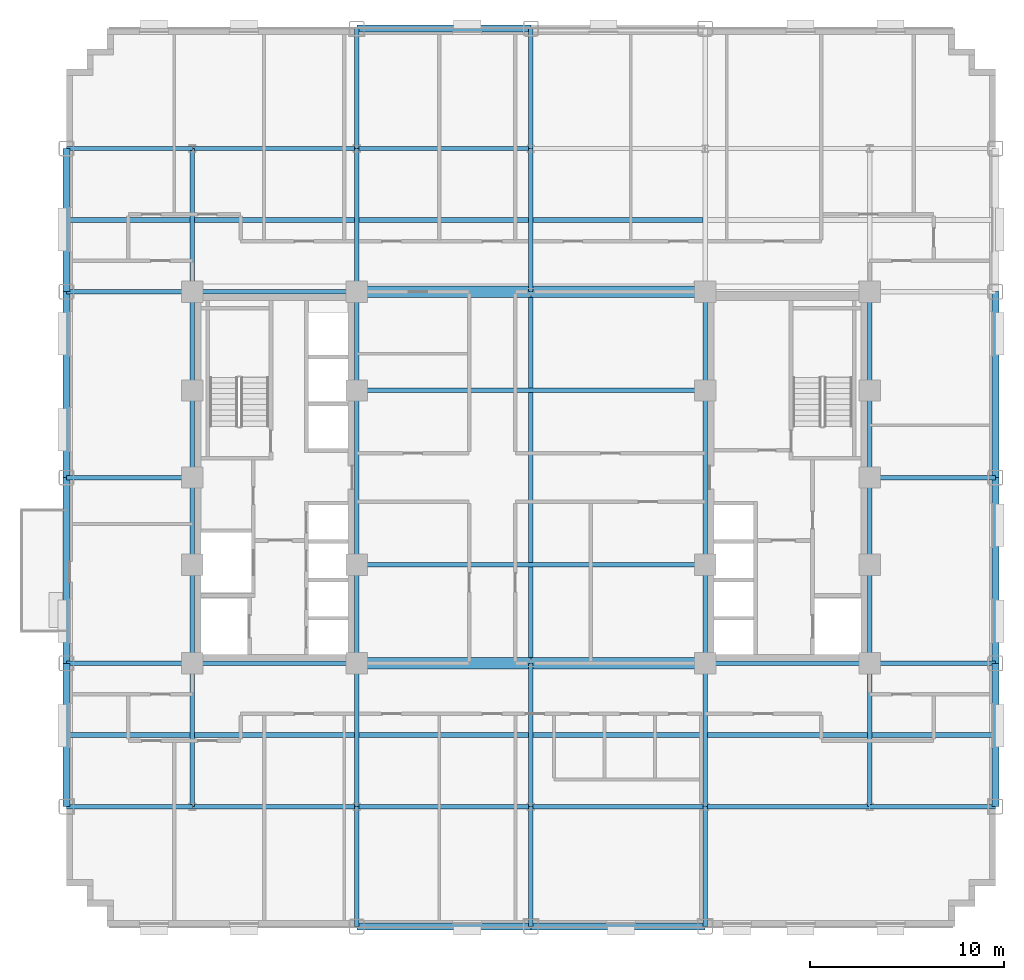
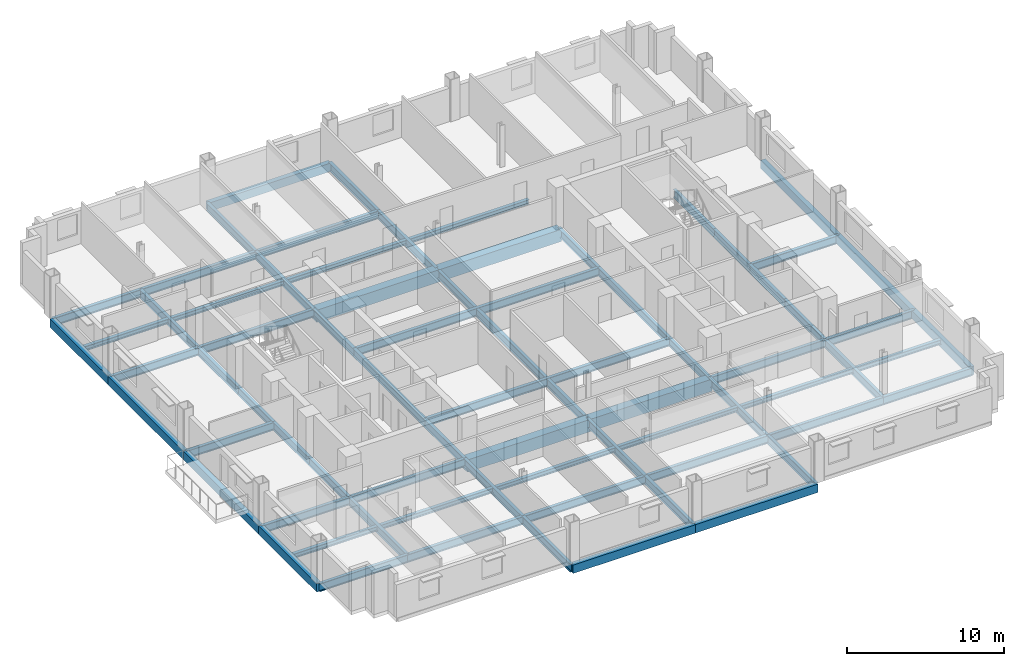
# One storey, part 4 of 14: 71 beams.
"""IFC4 building model written with IfcOpenShell, lengths in metres."""

from ifc_helpers import new_model, si_unit, direction, frame, origin, origin_2d, place, context, subcontext, project, spatial, rectangle, i_section, extrude, material, material_profile, profile_set, type_object, element, save


model = new_model("IFC4")

# Units and contexts
model_context = context("Model", 3, precision=1e-05, world=origin(), true_north=direction((0.0, 1.0)))
body_context = subcontext(model_context, "Body", "Model", "MODEL_VIEW")
ifc_project = project(units=[si_unit("LENGTHUNIT", "METRE"), si_unit("AREAUNIT", "SQUARE_METRE"), si_unit("VOLUMEUNIT", "CUBIC_METRE"), si_unit("PLANEANGLEUNIT", "RADIAN"), si_unit("MASSUNIT", "GRAM", prefix="KILO")], contexts=[model_context])

# Site, building, storey
site_placement = place(None, origin())
site = spatial("IfcSite", under=ifc_project, at=site_placement, CompositionType="ELEMENT")
building_placement = place(site_placement, origin())
building = spatial("IfcBuilding", under=site, at=building_placement, Name="Nuvemarco Arch Tower", CompositionType="ELEMENT")
storey_placement = place(building_placement, frame((0.0, 0.0, 89.64990234375)))
storey = spatial("IfcBuildingStorey", under=building, at=storey_placement, Name="L23", CompositionType="ELEMENT", Elevation=89.64990234375)

# Beams
ifc_material_1 = material(Name="Concrete C60/75", Category="concrete")
ifc_material_profile_1 = material_profile(ifc_material_1, rectangle(XDim=0.60009765625, YDim=0.949951171875, at=origin_2d()), Name="RC-BM-600x950")
ifc_profile_set_1 = profile_set([ifc_material_profile_1], Name="Concrete C60/75")
beam_type_1 = type_object("IfcBeamType", Name="BM-COUP-RC", PredefinedType="LINTEL", material=ifc_profile_set_1)
for number, where, z_axis, x_axis, name in (
    (1, (-9.0, -9.60009765625, -0.7548828125), (1.0, 0.0, 0.0), (0.0, 1.0, 0.0), "L23 structural beam BGEW_L23_0_-9.6_-9.0"),
    (2, (0.0, -9.60009765625, -0.7548828125), (1.0, 0.0, 0.0), (0.0, 1.0, 0.0), "L23 structural beam BGEW_L23_0_-9.6_+0.0"),
    (3, (-9.0, 9.60009765625, -0.7548828125), (1.0, 0.0, 0.0), (0.0, 1.0, 0.0), "L23 structural beam BGEW_L23_0_+9.6_-9.0"),
    (4, (0.0, 9.60009765625, -0.7548828125), (1.0, 0.0, 0.0), (0.0, 1.0, 0.0), "L23 structural beam BGEW_L23_0_+9.6_+0.0"),
):
    element("IfcBeam", number, at=place(storey_placement, frame(where, z_axis=z_axis, x_axis=x_axis)), inside=storey, type_object=beam_type_1, Name=name, PredefinedType="LINTEL", context=body_context, shape_type="SweptSolid", body=[
        extrude(rectangle(XDim=0.60009765625, YDim=0.949951171875, at=origin_2d()), origin(), (0.0, 0.0, 1.0), 9.0),
    ])
ifc_material_2 = material(Name="Steel S355", Category="steel")
ifc_material_profile_2 = material_profile(ifc_material_2, i_section(OverallWidth=0.22998046875, OverallDepth=0.616943359375, WebThickness=0.01318359375, FlangeThickness=0.022216796875, FilletRadius=0.01611328125, at=origin_2d()), Name="W610x140")
ifc_profile_set_2 = profile_set([ifc_material_profile_2], Name="Steel S355")
beam_type_2 = type_object("IfcBeamType", Name="BM-GIRD-610", PredefinedType="BEAM", material=ifc_profile_set_2)
beam_1_placement = place(storey_placement, frame((-17.5, -17.0, -0.58837890625), z_axis=(0.0, 1.0, 0.0), x_axis=(-1.0, 0.0, 0.0)))
element("IfcBeam", 5, at=beam_1_placement, inside=storey, type_object=beam_type_2, Name="L23 structural beam BGNS_L23_0_-17.5_-17.0", PredefinedType="BEAM", context=body_context, shape_type="SweptSolid", body=[
    extrude(i_section(OverallWidth=0.22998046875, OverallDepth=0.616943359375, WebThickness=0.01318359375, FlangeThickness=0.022216796875, FilletRadius=0.01611328125, at=origin_2d()), origin(), (0.0, 0.0, 1.0), 7.39990234375),
])
beam_2_placement = place(storey_placement, frame((-17.5, -9.60009765625, -0.58837890625), z_axis=(0.0, 1.0, 0.0), x_axis=(-1.0, 0.0, 0.0)))
element("IfcBeam", 6, at=beam_2_placement, inside=storey, type_object=beam_type_2, Name="L23 structural beam BGNS_L23_0_-17.5_-9.6", PredefinedType="BEAM", context=body_context, shape_type="SweptSolid", body=[
    extrude(i_section(OverallWidth=0.22998046875, OverallDepth=0.616943359375, WebThickness=0.01318359375, FlangeThickness=0.022216796875, FilletRadius=0.01611328125, at=origin_2d()), origin(), (0.0, 0.0, 1.0), 5.10009765625),
])
for number, where, z_axis, x_axis, name in (
    (7, (-17.5, -4.5, -0.58837890625), (0.0, 1.0, 0.0), (-1.0, 0.0, 0.0), "L23 structural beam BGNS_L23_0_-17.5_-4.5"),
    (8, (-17.5, 0.0, -0.58837890625), (0.0, 1.0, 0.0), (-1.0, 0.0, 0.0), "L23 structural beam BGNS_L23_0_-17.5_+0.0"),
):
    element("IfcBeam", number, at=place(storey_placement, frame(where, z_axis=z_axis, x_axis=x_axis)), inside=storey, type_object=beam_type_2, Name=name, PredefinedType="BEAM", context=body_context, shape_type="SweptSolid", body=[
        extrude(i_section(OverallWidth=0.22998046875, OverallDepth=0.616943359375, WebThickness=0.01318359375, FlangeThickness=0.022216796875, FilletRadius=0.01611328125, at=origin_2d()), origin(), (0.0, 0.0, 1.0), 4.5),
    ])
beam_3_placement = place(storey_placement, frame((-17.5, 4.5, -0.58837890625), z_axis=(0.0, 1.0, 0.0), x_axis=(-1.0, 0.0, 0.0)))
element("IfcBeam", 9, at=beam_3_placement, inside=storey, type_object=beam_type_2, Name="L23 structural beam BGNS_L23_0_-17.5_+4.5", PredefinedType="BEAM", context=body_context, shape_type="SweptSolid", body=[
    extrude(i_section(OverallWidth=0.22998046875, OverallDepth=0.616943359375, WebThickness=0.01318359375, FlangeThickness=0.022216796875, FilletRadius=0.01611328125, at=origin_2d()), origin(), (0.0, 0.0, 1.0), 5.10009765625),
])
beam_4_placement = place(storey_placement, frame((-17.5, 9.60009765625, -0.58837890625), z_axis=(0.0, 1.0, 0.0), x_axis=(-1.0, 0.0, 0.0)))
element("IfcBeam", 10, at=beam_4_placement, inside=storey, type_object=beam_type_2, Name="L23 structural beam BGNS_L23_0_-17.5_+9.6", PredefinedType="BEAM", context=body_context, shape_type="SweptSolid", body=[
    extrude(i_section(OverallWidth=0.22998046875, OverallDepth=0.616943359375, WebThickness=0.01318359375, FlangeThickness=0.022216796875, FilletRadius=0.01611328125, at=origin_2d()), origin(), (0.0, 0.0, 1.0), 7.39990234375),
])
beam_5_placement = place(storey_placement, frame((-9.0, -23.199951171875, -0.58837890625), z_axis=(0.0, 1.0, 0.0), x_axis=(-1.0, 0.0, 0.0)))
element("IfcBeam", 11, at=beam_5_placement, inside=storey, type_object=beam_type_2, Name="L23 structural beam BGNS_L23_0_-9.0_-23.2", PredefinedType="BEAM", context=body_context, shape_type="SweptSolid", body=[
    extrude(i_section(OverallWidth=0.22998046875, OverallDepth=0.616943359375, WebThickness=0.01318359375, FlangeThickness=0.022216796875, FilletRadius=0.01611328125, at=origin_2d()), origin(), (0.0, 0.0, 1.0), 6.199951171875),
])
beam_6_placement = place(storey_placement, frame((-9.0, -17.0, -0.58837890625), z_axis=(0.0, 1.0, 0.0), x_axis=(-1.0, 0.0, 0.0)))
element("IfcBeam", 12, at=beam_6_placement, inside=storey, type_object=beam_type_2, Name="L23 structural beam BGNS_L23_0_-9.0_-17.0", PredefinedType="BEAM", context=body_context, shape_type="SweptSolid", body=[
    extrude(i_section(OverallWidth=0.22998046875, OverallDepth=0.616943359375, WebThickness=0.01318359375, FlangeThickness=0.022216796875, FilletRadius=0.01611328125, at=origin_2d()), origin(), (0.0, 0.0, 1.0), 7.39990234375),
])
beam_7_placement = place(storey_placement, frame((-9.0, -9.60009765625, -0.58837890625), z_axis=(0.0, 1.0, 0.0), x_axis=(-1.0, 0.0, 0.0)))
element("IfcBeam", 13, at=beam_7_placement, inside=storey, type_object=beam_type_2, Name="L23 structural beam BGNS_L23_0_-9.0_-9.6", PredefinedType="BEAM", context=body_context, shape_type="SweptSolid", body=[
    extrude(i_section(OverallWidth=0.22998046875, OverallDepth=0.616943359375, WebThickness=0.01318359375, FlangeThickness=0.022216796875, FilletRadius=0.01611328125, at=origin_2d()), origin(), (0.0, 0.0, 1.0), 5.10009765625),
])
beam_8_placement = place(storey_placement, frame((-9.0, -4.5, -0.58837890625), z_axis=(0.0, 1.0, 0.0), x_axis=(-1.0, 0.0, 0.0)))
element("IfcBeam", 14, at=beam_8_placement, inside=storey, type_object=beam_type_2, Name="L23 structural beam BGNS_L23_0_-9.0_-4.5", PredefinedType="BEAM", context=body_context, shape_type="SweptSolid", body=[
    extrude(i_section(OverallWidth=0.22998046875, OverallDepth=0.616943359375, WebThickness=0.01318359375, FlangeThickness=0.022216796875, FilletRadius=0.01611328125, at=origin_2d()), origin(), (0.0, 0.0, 1.0), 9.0),
])
beam_9_placement = place(storey_placement, frame((-9.0, 4.5, -0.58837890625), z_axis=(0.0, 1.0, 0.0), x_axis=(-1.0, 0.0, 0.0)))
element("IfcBeam", 15, at=beam_9_placement, inside=storey, type_object=beam_type_2, Name="L23 structural beam BGNS_L23_0_-9.0_+4.5", PredefinedType="BEAM", context=body_context, shape_type="SweptSolid", body=[
    extrude(i_section(OverallWidth=0.22998046875, OverallDepth=0.616943359375, WebThickness=0.01318359375, FlangeThickness=0.022216796875, FilletRadius=0.01611328125, at=origin_2d()), origin(), (0.0, 0.0, 1.0), 5.10009765625),
])
beam_10_placement = place(storey_placement, frame((-9.0, 9.60009765625, -0.58837890625), z_axis=(0.0, 1.0, 0.0), x_axis=(-1.0, 0.0, 0.0)))
element("IfcBeam", 16, at=beam_10_placement, inside=storey, type_object=beam_type_2, Name="L23 structural beam BGNS_L23_0_-9.0_+9.6", PredefinedType="BEAM", context=body_context, shape_type="SweptSolid", body=[
    extrude(i_section(OverallWidth=0.22998046875, OverallDepth=0.616943359375, WebThickness=0.01318359375, FlangeThickness=0.022216796875, FilletRadius=0.01611328125, at=origin_2d()), origin(), (0.0, 0.0, 1.0), 7.39990234375),
])
for number, where, z_axis, x_axis, name in (
    (17, (-9.0, 17.0, -0.58837890625), (0.0, 1.0, 0.0), (-1.0, 0.0, 0.0), "L23 structural beam BGNS_L23_0_-9.0_+17.0"),
    (18, (0.0, -23.199951171875, -0.58837890625), (0.0, 1.0, 0.0), (-1.0, 0.0, 0.0), "L23 structural beam BGNS_L23_0_+0.0_-23.2"),
):
    element("IfcBeam", number, at=place(storey_placement, frame(where, z_axis=z_axis, x_axis=x_axis)), inside=storey, type_object=beam_type_2, Name=name, PredefinedType="BEAM", context=body_context, shape_type="SweptSolid", body=[
        extrude(i_section(OverallWidth=0.22998046875, OverallDepth=0.616943359375, WebThickness=0.01318359375, FlangeThickness=0.022216796875, FilletRadius=0.01611328125, at=origin_2d()), origin(), (0.0, 0.0, 1.0), 6.199951171875),
    ])
beam_11_placement = place(storey_placement, frame((0.0, -17.0, -0.58837890625), z_axis=(0.0, 1.0, 0.0), x_axis=(-1.0, 0.0, 0.0)))
element("IfcBeam", 19, at=beam_11_placement, inside=storey, type_object=beam_type_2, Name="L23 structural beam BGNS_L23_0_+0.0_-17.0", PredefinedType="BEAM", context=body_context, shape_type="SweptSolid", body=[
    extrude(i_section(OverallWidth=0.22998046875, OverallDepth=0.616943359375, WebThickness=0.01318359375, FlangeThickness=0.022216796875, FilletRadius=0.01611328125, at=origin_2d()), origin(), (0.0, 0.0, 1.0), 7.39990234375),
])
beam_12_placement = place(storey_placement, frame((0.0, -9.60009765625, -0.58837890625), z_axis=(0.0, 1.0, 0.0), x_axis=(-1.0, 0.0, 0.0)))
element("IfcBeam", 20, at=beam_12_placement, inside=storey, type_object=beam_type_2, Name="L23 structural beam BGNS_L23_0_+0.0_-9.6", PredefinedType="BEAM", context=body_context, shape_type="SweptSolid", body=[
    extrude(i_section(OverallWidth=0.22998046875, OverallDepth=0.616943359375, WebThickness=0.01318359375, FlangeThickness=0.022216796875, FilletRadius=0.01611328125, at=origin_2d()), origin(), (0.0, 0.0, 1.0), 19.2001953125),
])
beam_13_placement = place(storey_placement, frame((0.0, 9.60009765625, -0.58837890625), z_axis=(0.0, 1.0, 0.0), x_axis=(-1.0, 0.0, 0.0)))
element("IfcBeam", 21, at=beam_13_placement, inside=storey, type_object=beam_type_2, Name="L23 structural beam BGNS_L23_0_+0.0_+9.6", PredefinedType="BEAM", context=body_context, shape_type="SweptSolid", body=[
    extrude(i_section(OverallWidth=0.22998046875, OverallDepth=0.616943359375, WebThickness=0.01318359375, FlangeThickness=0.022216796875, FilletRadius=0.01611328125, at=origin_2d()), origin(), (0.0, 0.0, 1.0), 7.39990234375),
])
for number, where, z_axis, x_axis, name in (
    (22, (0.0, 17.0, -0.58837890625), (0.0, 1.0, 0.0), (-1.0, 0.0, 0.0), "L23 structural beam BGNS_L23_0_+0.0_+17.0"),
    (23, (9.0, -23.199951171875, -0.58837890625), (0.0, 1.0, 0.0), (-1.0, 0.0, 0.0), "L23 structural beam BGNS_L23_0_+9.0_-23.2"),
):
    element("IfcBeam", number, at=place(storey_placement, frame(where, z_axis=z_axis, x_axis=x_axis)), inside=storey, type_object=beam_type_2, Name=name, PredefinedType="BEAM", context=body_context, shape_type="SweptSolid", body=[
        extrude(i_section(OverallWidth=0.22998046875, OverallDepth=0.616943359375, WebThickness=0.01318359375, FlangeThickness=0.022216796875, FilletRadius=0.01611328125, at=origin_2d()), origin(), (0.0, 0.0, 1.0), 6.199951171875),
    ])
beam_14_placement = place(storey_placement, frame((9.0, -17.0, -0.58837890625), z_axis=(0.0, 1.0, 0.0), x_axis=(-1.0, 0.0, 0.0)))
element("IfcBeam", 24, at=beam_14_placement, inside=storey, type_object=beam_type_2, Name="L23 structural beam BGNS_L23_0_+9.0_-17.0", PredefinedType="BEAM", context=body_context, shape_type="SweptSolid", body=[
    extrude(i_section(OverallWidth=0.22998046875, OverallDepth=0.616943359375, WebThickness=0.01318359375, FlangeThickness=0.022216796875, FilletRadius=0.01611328125, at=origin_2d()), origin(), (0.0, 0.0, 1.0), 7.39990234375),
])
beam_15_placement = place(storey_placement, frame((9.0, -9.60009765625, -0.58837890625), z_axis=(0.0, 1.0, 0.0), x_axis=(-1.0, 0.0, 0.0)))
element("IfcBeam", 25, at=beam_15_placement, inside=storey, type_object=beam_type_2, Name="L23 structural beam BGNS_L23_0_+9.0_-9.6", PredefinedType="BEAM", context=body_context, shape_type="SweptSolid", body=[
    extrude(i_section(OverallWidth=0.22998046875, OverallDepth=0.616943359375, WebThickness=0.01318359375, FlangeThickness=0.022216796875, FilletRadius=0.01611328125, at=origin_2d()), origin(), (0.0, 0.0, 1.0), 5.10009765625),
])
beam_16_placement = place(storey_placement, frame((9.0, -4.5, -0.58837890625), z_axis=(0.0, 1.0, 0.0), x_axis=(-1.0, 0.0, 0.0)))
element("IfcBeam", 26, at=beam_16_placement, inside=storey, type_object=beam_type_2, Name="L23 structural beam BGNS_L23_0_+9.0_-4.5", PredefinedType="BEAM", context=body_context, shape_type="SweptSolid", body=[
    extrude(i_section(OverallWidth=0.22998046875, OverallDepth=0.616943359375, WebThickness=0.01318359375, FlangeThickness=0.022216796875, FilletRadius=0.01611328125, at=origin_2d()), origin(), (0.0, 0.0, 1.0), 9.0),
])
beam_17_placement = place(storey_placement, frame((9.0, 4.5, -0.58837890625), z_axis=(0.0, 1.0, 0.0), x_axis=(-1.0, 0.0, 0.0)))
element("IfcBeam", 27, at=beam_17_placement, inside=storey, type_object=beam_type_2, Name="L23 structural beam BGNS_L23_0_+9.0_+4.5", PredefinedType="BEAM", context=body_context, shape_type="SweptSolid", body=[
    extrude(i_section(OverallWidth=0.22998046875, OverallDepth=0.616943359375, WebThickness=0.01318359375, FlangeThickness=0.022216796875, FilletRadius=0.01611328125, at=origin_2d()), origin(), (0.0, 0.0, 1.0), 5.10009765625),
])
beam_18_placement = place(storey_placement, frame((17.5, -17.0, -0.58837890625), z_axis=(0.0, 1.0, 0.0), x_axis=(-1.0, 0.0, 0.0)))
element("IfcBeam", 28, at=beam_18_placement, inside=storey, type_object=beam_type_2, Name="L23 structural beam BGNS_L23_0_+17.5_-17.0", PredefinedType="BEAM", context=body_context, shape_type="SweptSolid", body=[
    extrude(i_section(OverallWidth=0.22998046875, OverallDepth=0.616943359375, WebThickness=0.01318359375, FlangeThickness=0.022216796875, FilletRadius=0.01611328125, at=origin_2d()), origin(), (0.0, 0.0, 1.0), 7.39990234375),
])
beam_19_placement = place(storey_placement, frame((17.5, -9.60009765625, -0.58837890625), z_axis=(0.0, 1.0, 0.0), x_axis=(-1.0, 0.0, 0.0)))
element("IfcBeam", 29, at=beam_19_placement, inside=storey, type_object=beam_type_2, Name="L23 structural beam BGNS_L23_0_+17.5_-9.6", PredefinedType="BEAM", context=body_context, shape_type="SweptSolid", body=[
    extrude(i_section(OverallWidth=0.22998046875, OverallDepth=0.616943359375, WebThickness=0.01318359375, FlangeThickness=0.022216796875, FilletRadius=0.01611328125, at=origin_2d()), origin(), (0.0, 0.0, 1.0), 5.10009765625),
])
for number, where, z_axis, x_axis, name in (
    (30, (17.5, -4.5, -0.58837890625), (0.0, 1.0, 0.0), (-1.0, 0.0, 0.0), "L23 structural beam BGNS_L23_0_+17.5_-4.5"),
    (31, (17.5, 0.0, -0.58837890625), (0.0, 1.0, 0.0), (-1.0, 0.0, 0.0), "L23 structural beam BGNS_L23_0_+17.5_+0.0"),
):
    element("IfcBeam", number, at=place(storey_placement, frame(where, z_axis=z_axis, x_axis=x_axis)), inside=storey, type_object=beam_type_2, Name=name, PredefinedType="BEAM", context=body_context, shape_type="SweptSolid", body=[
        extrude(i_section(OverallWidth=0.22998046875, OverallDepth=0.616943359375, WebThickness=0.01318359375, FlangeThickness=0.022216796875, FilletRadius=0.01611328125, at=origin_2d()), origin(), (0.0, 0.0, 1.0), 4.5),
    ])
beam_20_placement = place(storey_placement, frame((17.5, 4.5, -0.58837890625), z_axis=(0.0, 1.0, 0.0), x_axis=(-1.0, 0.0, 0.0)))
element("IfcBeam", 32, at=beam_20_placement, inside=storey, type_object=beam_type_2, Name="L23 structural beam BGNS_L23_0_+17.5_+4.5", PredefinedType="BEAM", context=body_context, shape_type="SweptSolid", body=[
    extrude(i_section(OverallWidth=0.22998046875, OverallDepth=0.616943359375, WebThickness=0.01318359375, FlangeThickness=0.022216796875, FilletRadius=0.01611328125, at=origin_2d()), origin(), (0.0, 0.0, 1.0), 5.10009765625),
])
beam_21_placement = place(storey_placement, frame((-24.0, -17.0, -0.58837890625), z_axis=(1.0, 0.0, 0.0), x_axis=(0.0, 1.0, 0.0)))
element("IfcBeam", 33, at=beam_21_placement, inside=storey, type_object=beam_type_2, Name="L23 structural beam BGEW_L23_0_-17.0_-24.0", PredefinedType="BEAM", context=body_context, shape_type="SweptSolid", body=[
    extrude(i_section(OverallWidth=0.22998046875, OverallDepth=0.616943359375, WebThickness=0.01318359375, FlangeThickness=0.022216796875, FilletRadius=0.01611328125, at=origin_2d()), origin(), (0.0, 0.0, 1.0), 6.5),
])
beam_22_placement = place(storey_placement, frame((-17.5, -17.0, -0.58837890625), z_axis=(1.0, 0.0, 0.0), x_axis=(0.0, 1.0, 0.0)))
element("IfcBeam", 34, at=beam_22_placement, inside=storey, type_object=beam_type_2, Name="L23 structural beam BGEW_L23_0_-17.0_-17.5", PredefinedType="BEAM", context=body_context, shape_type="SweptSolid", body=[
    extrude(i_section(OverallWidth=0.22998046875, OverallDepth=0.616943359375, WebThickness=0.01318359375, FlangeThickness=0.022216796875, FilletRadius=0.01611328125, at=origin_2d()), origin(), (0.0, 0.0, 1.0), 8.5),
])
for number, where, z_axis, x_axis, name in (
    (35, (-9.0, -17.0, -0.58837890625), (1.0, 0.0, 0.0), (0.0, 1.0, 0.0), "L23 structural beam BGEW_L23_0_-17.0_-9.0"),
    (36, (0.0, -17.0, -0.58837890625), (1.0, 0.0, 0.0), (0.0, 1.0, 0.0), "L23 structural beam BGEW_L23_0_-17.0_+0.0"),
):
    element("IfcBeam", number, at=place(storey_placement, frame(where, z_axis=z_axis, x_axis=x_axis)), inside=storey, type_object=beam_type_2, Name=name, PredefinedType="BEAM", context=body_context, shape_type="SweptSolid", body=[
        extrude(i_section(OverallWidth=0.22998046875, OverallDepth=0.616943359375, WebThickness=0.01318359375, FlangeThickness=0.022216796875, FilletRadius=0.01611328125, at=origin_2d()), origin(), (0.0, 0.0, 1.0), 9.0),
    ])
beam_23_placement = place(storey_placement, frame((9.0, -17.0, -0.58837890625), z_axis=(1.0, 0.0, 0.0), x_axis=(0.0, 1.0, 0.0)))
element("IfcBeam", 37, at=beam_23_placement, inside=storey, type_object=beam_type_2, Name="L23 structural beam BGEW_L23_0_-17.0_+9.0", PredefinedType="BEAM", context=body_context, shape_type="SweptSolid", body=[
    extrude(i_section(OverallWidth=0.22998046875, OverallDepth=0.616943359375, WebThickness=0.01318359375, FlangeThickness=0.022216796875, FilletRadius=0.01611328125, at=origin_2d()), origin(), (0.0, 0.0, 1.0), 8.5),
])
for number, where, z_axis, x_axis, name in (
    (38, (17.5, -17.0, -0.58837890625), (1.0, 0.0, 0.0), (0.0, 1.0, 0.0), "L23 structural beam BGEW_L23_0_-17.0_+17.5"),
    (39, (-24.0, -9.60009765625, -0.58837890625), (1.0, 0.0, 0.0), (0.0, 1.0, 0.0), "L23 structural beam BGEW_L23_0_-9.6_-24.0"),
):
    element("IfcBeam", number, at=place(storey_placement, frame(where, z_axis=z_axis, x_axis=x_axis)), inside=storey, type_object=beam_type_2, Name=name, PredefinedType="BEAM", context=body_context, shape_type="SweptSolid", body=[
        extrude(i_section(OverallWidth=0.22998046875, OverallDepth=0.616943359375, WebThickness=0.01318359375, FlangeThickness=0.022216796875, FilletRadius=0.01611328125, at=origin_2d()), origin(), (0.0, 0.0, 1.0), 6.5),
    ])
for number, where, z_axis, x_axis, name in (
    (40, (-17.5, -9.60009765625, -0.58837890625), (1.0, 0.0, 0.0), (0.0, 1.0, 0.0), "L23 structural beam BGEW_L23_0_-9.6_-17.5"),
    (41, (9.0, -9.60009765625, -0.58837890625), (1.0, 0.0, 0.0), (0.0, 1.0, 0.0), "L23 structural beam BGEW_L23_0_-9.6_+9.0"),
):
    element("IfcBeam", number, at=place(storey_placement, frame(where, z_axis=z_axis, x_axis=x_axis)), inside=storey, type_object=beam_type_2, Name=name, PredefinedType="BEAM", context=body_context, shape_type="SweptSolid", body=[
        extrude(i_section(OverallWidth=0.22998046875, OverallDepth=0.616943359375, WebThickness=0.01318359375, FlangeThickness=0.022216796875, FilletRadius=0.01611328125, at=origin_2d()), origin(), (0.0, 0.0, 1.0), 8.5),
    ])
beam_24_placement = place(storey_placement, frame((17.5, -9.60009765625, -0.58837890625), z_axis=(1.0, 0.0, 0.0), x_axis=(0.0, 1.0, 0.0)))
element("IfcBeam", 42, at=beam_24_placement, inside=storey, type_object=beam_type_2, Name="L23 structural beam BGEW_L23_0_-9.6_+17.5", PredefinedType="BEAM", context=body_context, shape_type="SweptSolid", body=[
    extrude(i_section(OverallWidth=0.22998046875, OverallDepth=0.616943359375, WebThickness=0.01318359375, FlangeThickness=0.022216796875, FilletRadius=0.01611328125, at=origin_2d()), origin(), (0.0, 0.0, 1.0), 6.5),
])
beam_25_placement = place(storey_placement, frame((-9.0, -4.5, -0.58837890625), z_axis=(1.0, 0.0, 0.0), x_axis=(0.0, 1.0, 0.0)))
element("IfcBeam", 43, at=beam_25_placement, inside=storey, type_object=beam_type_2, Name="L23 structural beam BGEW_L23_0_-4.5_-9.0", PredefinedType="BEAM", context=body_context, shape_type="SweptSolid", body=[
    extrude(i_section(OverallWidth=0.22998046875, OverallDepth=0.616943359375, WebThickness=0.01318359375, FlangeThickness=0.022216796875, FilletRadius=0.01611328125, at=origin_2d()), origin(), (0.0, 0.0, 1.0), 18.0),
])
for number, where, z_axis, x_axis, name in (
    (44, (-24.0, 0.0, -0.58837890625), (1.0, 0.0, 0.0), (0.0, 1.0, 0.0), "L23 structural beam BGEW_L23_0_+0.0_-24.0"),
    (45, (17.5, 0.0, -0.58837890625), (1.0, 0.0, 0.0), (0.0, 1.0, 0.0), "L23 structural beam BGEW_L23_0_+0.0_+17.5"),
):
    element("IfcBeam", number, at=place(storey_placement, frame(where, z_axis=z_axis, x_axis=x_axis)), inside=storey, type_object=beam_type_2, Name=name, PredefinedType="BEAM", context=body_context, shape_type="SweptSolid", body=[
        extrude(i_section(OverallWidth=0.22998046875, OverallDepth=0.616943359375, WebThickness=0.01318359375, FlangeThickness=0.022216796875, FilletRadius=0.01611328125, at=origin_2d()), origin(), (0.0, 0.0, 1.0), 6.5),
    ])
beam_26_placement = place(storey_placement, frame((-9.0, 4.5, -0.58837890625), z_axis=(1.0, 0.0, 0.0), x_axis=(0.0, 1.0, 0.0)))
element("IfcBeam", 46, at=beam_26_placement, inside=storey, type_object=beam_type_2, Name="L23 structural beam BGEW_L23_0_+4.5_-9.0", PredefinedType="BEAM", context=body_context, shape_type="SweptSolid", body=[
    extrude(i_section(OverallWidth=0.22998046875, OverallDepth=0.616943359375, WebThickness=0.01318359375, FlangeThickness=0.022216796875, FilletRadius=0.01611328125, at=origin_2d()), origin(), (0.0, 0.0, 1.0), 18.0),
])
beam_27_placement = place(storey_placement, frame((-24.0, 9.60009765625, -0.58837890625), z_axis=(1.0, 0.0, 0.0), x_axis=(0.0, 1.0, 0.0)))
element("IfcBeam", 47, at=beam_27_placement, inside=storey, type_object=beam_type_2, Name="L23 structural beam BGEW_L23_0_+9.6_-24.0", PredefinedType="BEAM", context=body_context, shape_type="SweptSolid", body=[
    extrude(i_section(OverallWidth=0.22998046875, OverallDepth=0.616943359375, WebThickness=0.01318359375, FlangeThickness=0.022216796875, FilletRadius=0.01611328125, at=origin_2d()), origin(), (0.0, 0.0, 1.0), 6.5),
])
beam_28_placement = place(storey_placement, frame((-17.5, 9.60009765625, -0.58837890625), z_axis=(1.0, 0.0, 0.0), x_axis=(0.0, 1.0, 0.0)))
element("IfcBeam", 48, at=beam_28_placement, inside=storey, type_object=beam_type_2, Name="L23 structural beam BGEW_L23_0_+9.6_-17.5", PredefinedType="BEAM", context=body_context, shape_type="SweptSolid", body=[
    extrude(i_section(OverallWidth=0.22998046875, OverallDepth=0.616943359375, WebThickness=0.01318359375, FlangeThickness=0.022216796875, FilletRadius=0.01611328125, at=origin_2d()), origin(), (0.0, 0.0, 1.0), 8.5),
])
beam_29_placement = place(storey_placement, frame((-24.0, 17.0, -0.58837890625), z_axis=(1.0, 0.0, 0.0), x_axis=(0.0, 1.0, 0.0)))
element("IfcBeam", 49, at=beam_29_placement, inside=storey, type_object=beam_type_2, Name="L23 structural beam BGEW_L23_0_+17.0_-24.0", PredefinedType="BEAM", context=body_context, shape_type="SweptSolid", body=[
    extrude(i_section(OverallWidth=0.22998046875, OverallDepth=0.616943359375, WebThickness=0.01318359375, FlangeThickness=0.022216796875, FilletRadius=0.01611328125, at=origin_2d()), origin(), (0.0, 0.0, 1.0), 6.5),
])
beam_30_placement = place(storey_placement, frame((-17.5, 17.0, -0.58837890625), z_axis=(1.0, 0.0, 0.0), x_axis=(0.0, 1.0, 0.0)))
element("IfcBeam", 50, at=beam_30_placement, inside=storey, type_object=beam_type_2, Name="L23 structural beam BGEW_L23_0_+17.0_-17.5", PredefinedType="BEAM", context=body_context, shape_type="SweptSolid", body=[
    extrude(i_section(OverallWidth=0.22998046875, OverallDepth=0.616943359375, WebThickness=0.01318359375, FlangeThickness=0.022216796875, FilletRadius=0.01611328125, at=origin_2d()), origin(), (0.0, 0.0, 1.0), 8.5),
])
beam_31_placement = place(storey_placement, frame((-9.0, 17.0, -0.58837890625), z_axis=(1.0, 0.0, 0.0), x_axis=(0.0, 1.0, 0.0)))
element("IfcBeam", 51, at=beam_31_placement, inside=storey, type_object=beam_type_2, Name="L23 structural beam BGEW_L23_0_+17.0_-9.0", PredefinedType="BEAM", context=body_context, shape_type="SweptSolid", body=[
    extrude(i_section(OverallWidth=0.22998046875, OverallDepth=0.616943359375, WebThickness=0.01318359375, FlangeThickness=0.022216796875, FilletRadius=0.01611328125, at=origin_2d()), origin(), (0.0, 0.0, 1.0), 9.0),
])
ifc_material_profile_3 = material_profile(ifc_material_2, i_section(OverallWidth=0.2548828125, OverallDepth=0.35693359375, WebThickness=0.010498046875, FlangeThickness=0.018310546875, FilletRadius=0.014892578125, at=origin_2d()), Name="W360x101")
ifc_profile_set_3 = profile_set([ifc_material_profile_3], Name="Steel S355")
beam_type_3 = type_object("IfcBeamType", Name="BM-JOIST-360H", PredefinedType="JOIST", material=ifc_profile_set_3)
beam_32_placement = place(storey_placement, frame((-23.824951171875, -13.300048828125, -0.45849609375), z_axis=(1.0, 0.0, 0.0), x_axis=(0.0, 1.0, 0.0)))
element("IfcBeam", 52, at=beam_32_placement, inside=storey, type_object=beam_type_3, Name="L23 structural beam BJ_L23_0_-13.3_-24.0", PredefinedType="JOIST", context=body_context, shape_type="SweptSolid", body=[
    extrude(i_section(OverallWidth=0.2548828125, OverallDepth=0.35693359375, WebThickness=0.010498046875, FlangeThickness=0.018310546875, FilletRadius=0.014892578125, at=origin_2d()), origin(), (0.0, 0.0, 1.0), 6.2099609375),
])
beam_33_placement = place(storey_placement, frame((-17.385009765625, -13.300048828125, -0.45849609375), z_axis=(1.0, 0.0, 0.0), x_axis=(0.0, 1.0, 0.0)))
element("IfcBeam", 53, at=beam_33_placement, inside=storey, type_object=beam_type_3, Name="L23 structural beam BJ_L23_0_-13.3_-17.5", PredefinedType="JOIST", context=body_context, shape_type="SweptSolid", body=[
    extrude(i_section(OverallWidth=0.2548828125, OverallDepth=0.35693359375, WebThickness=0.010498046875, FlangeThickness=0.018310546875, FilletRadius=0.014892578125, at=origin_2d()), origin(), (0.0, 0.0, 1.0), 8.27001953125),
])
for number, where, z_axis, x_axis, name in (
    (54, (-8.885009765625, -13.300048828125, -0.45849609375), (1.0, 0.0, 0.0), (0.0, 1.0, 0.0), "L23 structural beam BJ_L23_0_-13.3_-9.0"),
    (55, (0.114990234375, -13.300048828125, -0.45849609375), (1.0, 0.0, 0.0), (0.0, 1.0, 0.0), "L23 structural beam BJ_L23_0_-13.3_+0.0"),
):
    element("IfcBeam", number, at=place(storey_placement, frame(where, z_axis=z_axis, x_axis=x_axis)), inside=storey, type_object=beam_type_3, Name=name, PredefinedType="JOIST", context=body_context, shape_type="SweptSolid", body=[
        extrude(i_section(OverallWidth=0.2548828125, OverallDepth=0.35693359375, WebThickness=0.010498046875, FlangeThickness=0.018310546875, FilletRadius=0.014892578125, at=origin_2d()), origin(), (0.0, 0.0, 1.0), 8.77001953125),
    ])
beam_34_placement = place(storey_placement, frame((9.114990234375, -13.300048828125, -0.45849609375), z_axis=(1.0, 0.0, 0.0), x_axis=(0.0, 1.0, 0.0)))
element("IfcBeam", 56, at=beam_34_placement, inside=storey, type_object=beam_type_3, Name="L23 structural beam BJ_L23_0_-13.3_+9.0", PredefinedType="JOIST", context=body_context, shape_type="SweptSolid", body=[
    extrude(i_section(OverallWidth=0.2548828125, OverallDepth=0.35693359375, WebThickness=0.010498046875, FlangeThickness=0.018310546875, FilletRadius=0.014892578125, at=origin_2d()), origin(), (0.0, 0.0, 1.0), 8.27001953125),
])
for number, where, z_axis, x_axis, name in (
    (57, (17.614990234375, -13.300048828125, -0.45849609375), (1.0, 0.0, 0.0), (0.0, 1.0, 0.0), "L23 structural beam BJ_L23_0_-13.3_+17.5"),
    (58, (-23.824951171875, 13.300048828125, -0.45849609375), (1.0, 0.0, 0.0), (0.0, 1.0, 0.0), "L23 structural beam BJ_L23_0_+13.3_-24.0"),
):
    element("IfcBeam", number, at=place(storey_placement, frame(where, z_axis=z_axis, x_axis=x_axis)), inside=storey, type_object=beam_type_3, Name=name, PredefinedType="JOIST", context=body_context, shape_type="SweptSolid", body=[
        extrude(i_section(OverallWidth=0.2548828125, OverallDepth=0.35693359375, WebThickness=0.010498046875, FlangeThickness=0.018310546875, FilletRadius=0.014892578125, at=origin_2d()), origin(), (0.0, 0.0, 1.0), 6.2099609375),
    ])
beam_35_placement = place(storey_placement, frame((-17.385009765625, 13.300048828125, -0.45849609375), z_axis=(1.0, 0.0, 0.0), x_axis=(0.0, 1.0, 0.0)))
element("IfcBeam", 59, at=beam_35_placement, inside=storey, type_object=beam_type_3, Name="L23 structural beam BJ_L23_0_+13.3_-17.5", PredefinedType="JOIST", context=body_context, shape_type="SweptSolid", body=[
    extrude(i_section(OverallWidth=0.2548828125, OverallDepth=0.35693359375, WebThickness=0.010498046875, FlangeThickness=0.018310546875, FilletRadius=0.014892578125, at=origin_2d()), origin(), (0.0, 0.0, 1.0), 8.27001953125),
])
for number, where, z_axis, x_axis, name in (
    (60, (-8.885009765625, 13.300048828125, -0.45849609375), (1.0, 0.0, 0.0), (0.0, 1.0, 0.0), "L23 structural beam BJ_L23_0_+13.3_-9.0"),
    (61, (0.114990234375, 13.300048828125, -0.45849609375), (1.0, 0.0, 0.0), (0.0, 1.0, 0.0), "L23 structural beam BJ_L23_0_+13.3_+0.0"),
):
    element("IfcBeam", number, at=place(storey_placement, frame(where, z_axis=z_axis, x_axis=x_axis)), inside=storey, type_object=beam_type_3, Name=name, PredefinedType="JOIST", context=body_context, shape_type="SweptSolid", body=[
        extrude(i_section(OverallWidth=0.2548828125, OverallDepth=0.35693359375, WebThickness=0.010498046875, FlangeThickness=0.018310546875, FilletRadius=0.014892578125, at=origin_2d()), origin(), (0.0, 0.0, 1.0), 8.77001953125),
    ])
ifc_material_3 = material(Name="Precast concrete C45/55", Category="concrete")
ifc_material_profile_4 = material_profile(ifc_material_3, rectangle(XDim=0.35009765625, YDim=0.64990234375, at=origin_2d()), Name="PC-SP-350x650")
ifc_profile_set_4 = profile_set([ifc_material_profile_4], Name="Precast concrete C45/55")
beam_type_4 = type_object("IfcBeamType", Name="BM-SPAN-RC", PredefinedType="SPANDREL", material=ifc_profile_set_4)
beam_36_placement = place(storey_placement, frame((-24.0, -17.0, -0.60498046875), z_axis=(0.0, 1.0, 0.0), x_axis=(-1.0, 0.0, 0.0)))
element("IfcBeam", 62, at=beam_36_placement, inside=storey, type_object=beam_type_4, Name="L23 structural beam BGNS_L23_0_-24.0_-17.0", PredefinedType="SPANDREL", context=body_context, shape_type="SweptSolid", body=[
    extrude(rectangle(XDim=0.35009765625, YDim=0.64990234375, at=origin_2d()), origin(), (0.0, 0.0, 1.0), 7.39990234375),
])
for number, where, z_axis, x_axis, name in (
    (63, (-24.0, -9.60009765625, -0.60498046875), (0.0, 1.0, 0.0), (-1.0, 0.0, 0.0), "L23 structural beam BGNS_L23_0_-24.0_-9.6"),
    (64, (-24.0, 0.0, -0.60498046875), (0.0, 1.0, 0.0), (-1.0, 0.0, 0.0), "L23 structural beam BGNS_L23_0_-24.0_+0.0"),
):
    element("IfcBeam", number, at=place(storey_placement, frame(where, z_axis=z_axis, x_axis=x_axis)), inside=storey, type_object=beam_type_4, Name=name, PredefinedType="SPANDREL", context=body_context, shape_type="SweptSolid", body=[
        extrude(rectangle(XDim=0.35009765625, YDim=0.64990234375, at=origin_2d()), origin(), (0.0, 0.0, 1.0), 9.60009765625),
    ])
for number, where, z_axis, x_axis, name in (
    (65, (-24.0, 9.60009765625, -0.60498046875), (0.0, 1.0, 0.0), (-1.0, 0.0, 0.0), "L23 structural beam BGNS_L23_0_-24.0_+9.6"),
    (66, (24.0, -17.0, -0.60498046875), (0.0, 1.0, 0.0), (-1.0, 0.0, 0.0), "L23 structural beam BGNS_L23_0_+24.0_-17.0"),
):
    element("IfcBeam", number, at=place(storey_placement, frame(where, z_axis=z_axis, x_axis=x_axis)), inside=storey, type_object=beam_type_4, Name=name, PredefinedType="SPANDREL", context=body_context, shape_type="SweptSolid", body=[
        extrude(rectangle(XDim=0.35009765625, YDim=0.64990234375, at=origin_2d()), origin(), (0.0, 0.0, 1.0), 7.39990234375),
    ])
for number, where, z_axis, x_axis, name in (
    (67, (24.0, -9.60009765625, -0.60498046875), (0.0, 1.0, 0.0), (-1.0, 0.0, 0.0), "L23 structural beam BGNS_L23_0_+24.0_-9.6"),
    (68, (24.0, 0.0, -0.60498046875), (0.0, 1.0, 0.0), (-1.0, 0.0, 0.0), "L23 structural beam BGNS_L23_0_+24.0_+0.0"),
):
    element("IfcBeam", number, at=place(storey_placement, frame(where, z_axis=z_axis, x_axis=x_axis)), inside=storey, type_object=beam_type_4, Name=name, PredefinedType="SPANDREL", context=body_context, shape_type="SweptSolid", body=[
        extrude(rectangle(XDim=0.35009765625, YDim=0.64990234375, at=origin_2d()), origin(), (0.0, 0.0, 1.0), 9.60009765625),
    ])
for number, where, z_axis, x_axis, name in (
    (69, (-9.0, -23.199951171875, -0.60498046875), (1.0, 0.0, 0.0), (0.0, 1.0, 0.0), "L23 structural beam BGEW_L23_0_-23.2_-9.0"),
    (70, (0.0, -23.199951171875, -0.60498046875), (1.0, 0.0, 0.0), (0.0, 1.0, 0.0), "L23 structural beam BGEW_L23_0_-23.2_+0.0"),
    (71, (-9.0, 23.199951171875, -0.60498046875), (1.0, 0.0, 0.0), (0.0, 1.0, 0.0), "L23 structural beam BGEW_L23_0_+23.2_-9.0"),
):
    element("IfcBeam", number, at=place(storey_placement, frame(where, z_axis=z_axis, x_axis=x_axis)), inside=storey, type_object=beam_type_4, Name=name, PredefinedType="SPANDREL", context=body_context, shape_type="SweptSolid", body=[
        extrude(rectangle(XDim=0.35009765625, YDim=0.64990234375, at=origin_2d()), origin(), (0.0, 0.0, 1.0), 9.0),
    ])

save(model, "model.ifc")
